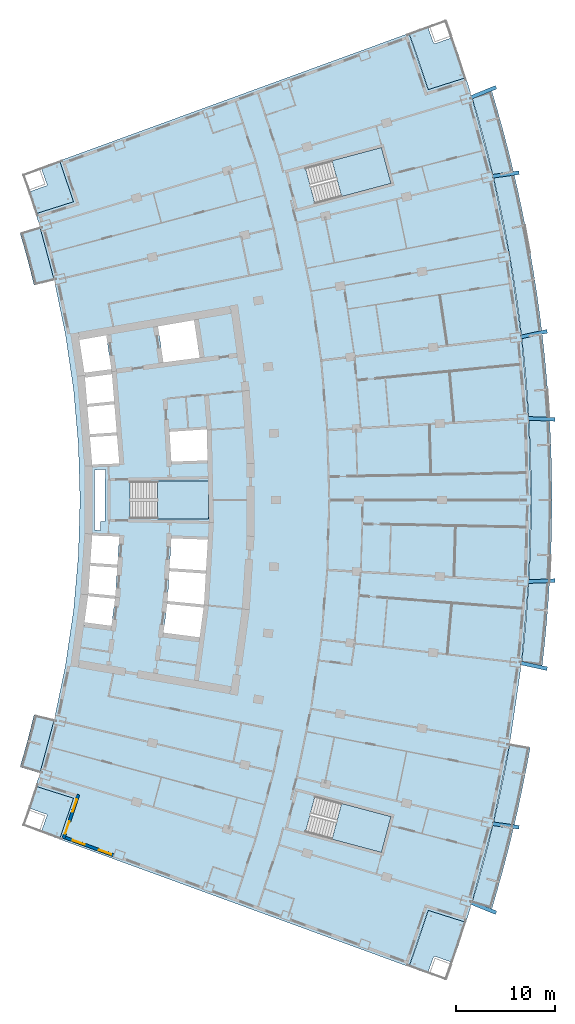
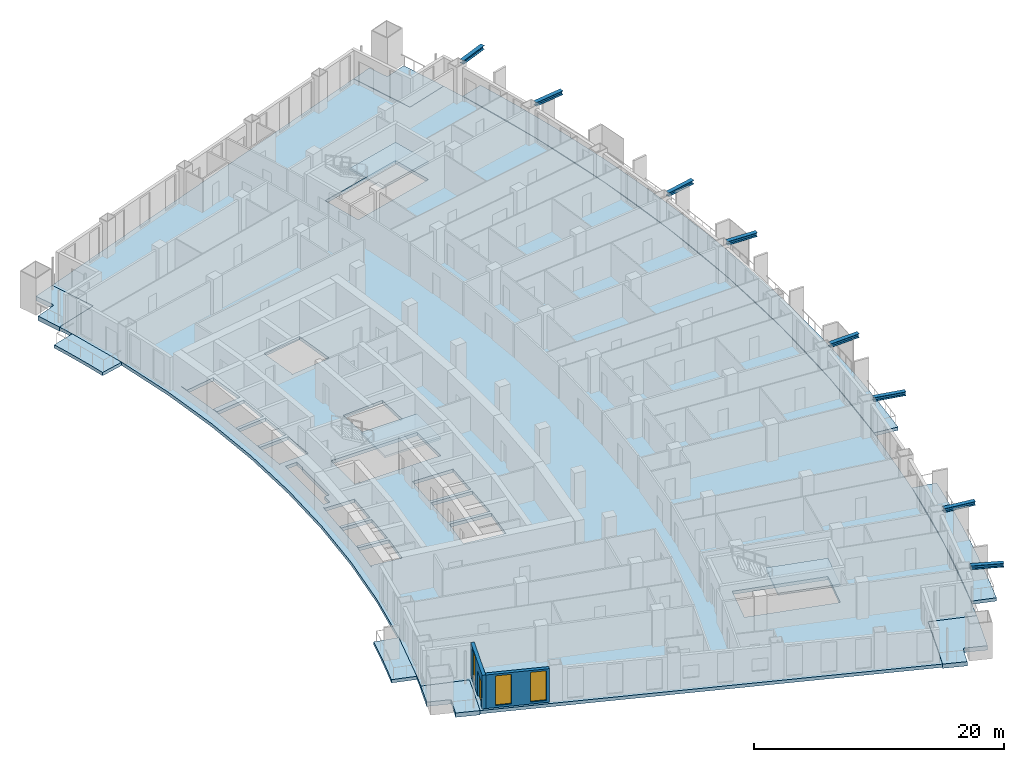
# One storey, part 12 of 25: 12 slabs, 8 members, 3 windows, 2 walls, 1 door, 4 openings, 3 elements without a shape of their own.
"""IFC4 building model written with IfcOpenShell, lengths in metres."""

from ifc_helpers import new_model, si_unit, direction, frame, frame_2d, origin, origin_2d, place, context, subcontext, project, spatial, polyline, rectangle, i_section, outline, extrude, material, layer, layer_set, material_profile, profile_set, type_object, element, fill, aggregate, save


model = new_model("IFC4")

# Units and contexts
model_context = context("Model", 3, precision=1e-05, world=origin(), true_north=direction((0.0, 1.0)))
body_context = subcontext(model_context, "Body", "Model", "MODEL_VIEW")
ifc_project = project(units=[si_unit("LENGTHUNIT", "METRE"), si_unit("AREAUNIT", "SQUARE_METRE"), si_unit("VOLUMEUNIT", "CUBIC_METRE"), si_unit("PLANEANGLEUNIT", "RADIAN"), si_unit("MASSUNIT", "GRAM", prefix="KILO")], contexts=[model_context])

# Site, building, storey
site_placement = place(None, origin())
site = spatial("IfcSite", under=ifc_project, at=site_placement, CompositionType="ELEMENT")
building_placement = place(site_placement, origin())
building = spatial("IfcBuilding", under=site, at=building_placement, Name="Alderwake Tower", CompositionType="ELEMENT")
storey_placement = place(building_placement, frame((0.0, 0.0, 107.60009765625)))
storey = spatial("IfcBuildingStorey", under=building, at=storey_placement, Name="L26", CompositionType="ELEMENT", Elevation=107.60009765625)

# Members
ifc_material_1 = material(Name="Steel ASTM A992 Grade 50", Category="steel")
ifc_material_profile = material_profile(ifc_material_1, i_section(OverallWidth=0.3740234375, OverallDepth=0.372314453125, WebThickness=0.016357421875, FlangeThickness=0.026123046875, at=origin_2d()), Name="W14X132")
ifc_profile_set = profile_set([ifc_material_profile], Name="Steel ASTM A992 Grade 50")
member_type = type_object("IfcMemberType", Name="Brace node stub W14X132", PredefinedType="MEMBER", material=ifc_profile_set)
for number, where, z_axis, x_axis, name in (
    (1, (55.546630859375, 20.30078125, 3.393798828125), (0.9255211749, -0.378695860567, 0.0), (0.378695860567, 0.9255211749, 0.0), "Brace node stub BS.FR02-C5.1112"),
    (2, (57.690673828125, 28.2802734375, 3.393798828125), (0.990678536497, -0.136220546632, 0.0), (0.136220546632, 0.990678536497, 0.0), "Brace node stub BS.FR03-C5.1112"),
):
    element("IfcMember", number, at=place(storey_placement, frame(where, z_axis=z_axis, x_axis=x_axis)), inside=storey, type_object=member_type, Name=name, PredefinedType="MEMBER", context=body_context, shape_type="SweptSolid", body=[
        extrude(i_section(OverallWidth=0.3740234375, OverallDepth=0.372314453125, WebThickness=0.016357421875, FlangeThickness=0.026123046875, at=origin_2d()), origin(), (0.0, 0.0, 1.0), 2.71533203125),
    ])
member_1_placement = place(storey_placement, frame((60.5625, 44.522216796875, 3.393798828125), z_axis=(0.977303597076, -0.211843525137, 0.0), x_axis=(0.211843525137, 0.977303597076, 0.0)))
element("IfcMember", 3, at=member_1_placement, inside=storey, type_object=member_type, Name="Brace node stub BS.FR05-C5.1112", PredefinedType="MEMBER", context=body_context, shape_type="SweptSolid", body=[
    extrude(i_section(OverallWidth=0.3740234375, OverallDepth=0.372314453125, WebThickness=0.016357421875, FlangeThickness=0.026123046875, at=origin_2d()), origin(), (0.0, 0.0, 1.0), 2.715087890625),
])
for number, where, z_axis, x_axis, name in (
    (4, (61.284423828125, 52.753173828125, 3.393798828125), (0.999262767455, 0.038391686315, 0.0), (-0.038391686315, 0.999262767455, 0.0), "Brace node stub BS.FR06-C5.1112"),
    (5, (61.284423828125, 69.246826171875, 3.393798828125), (0.999262767455, -0.038391686315, 0.0), (0.038391686315, 0.999262767455, 0.0), "Brace node stub BS.FR08-C5.1112"),
):
    element("IfcMember", number, at=place(storey_placement, frame(where, z_axis=z_axis, x_axis=x_axis)), inside=storey, type_object=member_type, Name=name, PredefinedType="MEMBER", context=body_context, shape_type="SweptSolid", body=[
        extrude(i_section(OverallWidth=0.3740234375, OverallDepth=0.372314453125, WebThickness=0.016357421875, FlangeThickness=0.026123046875, at=origin_2d()), origin(), (0.0, 0.0, 1.0), 2.71533203125),
    ])
member_2_placement = place(storey_placement, frame((60.5625, 77.477783203125, 3.393798828125), z_axis=(0.977303597076, 0.211843525137, 0.0), x_axis=(-0.211843525137, 0.977303597076, 0.0)))
element("IfcMember", 6, at=member_2_placement, inside=storey, type_object=member_type, Name="Brace node stub BS.FR09-C5.1112", PredefinedType="MEMBER", context=body_context, shape_type="SweptSolid", body=[
    extrude(i_section(OverallWidth=0.3740234375, OverallDepth=0.372314453125, WebThickness=0.016357421875, FlangeThickness=0.026123046875, at=origin_2d()), origin(), (0.0, 0.0, 1.0), 2.715087890625),
])
for number, where, z_axis, x_axis, name in (
    (7, (57.690673828125, 93.7197265625, 3.393798828125), (0.990678536497, 0.136220546632, 0.0), (-0.136220546632, 0.990678536497, 0.0), "Brace node stub BS.FR11-C5.1112"),
    (8, (55.546630859375, 101.69921875, 3.393798828125), (0.9255211749, 0.378695860567, 0.0), (-0.378695860567, 0.9255211749, 0.0), "Brace node stub BS.FR12-C5.1112"),
):
    element("IfcMember", number, at=place(storey_placement, frame(where, z_axis=z_axis, x_axis=x_axis)), inside=storey, type_object=member_type, Name=name, PredefinedType="MEMBER", context=body_context, shape_type="SweptSolid", body=[
        extrude(i_section(OverallWidth=0.3740234375, OverallDepth=0.372314453125, WebThickness=0.016357421875, FlangeThickness=0.026123046875, at=origin_2d()), origin(), (0.0, 0.0, 1.0), 2.71533203125),
    ])

# Slabs
ifc_material_2 = material(Name="Concrete C50/60", Category="concrete")
ifc_layer_1 = layer(ifc_material_2, 0.320068359375)
ifc_layer_set_1 = layer_set([ifc_layer_1], Name="Balcony slab 320")
slab_type_1 = type_object("IfcSlabType", Name="Balcony slab 320", PredefinedType="FLOOR", material=ifc_layer_set_1)
slab_1_placement = place(storey_placement, frame((0.0, 0.0, -0.320068359375)))
element("IfcSlab", 9, at=slab_1_placement, inside=storey, type_object=slab_type_1, Name="Balcony BF02", PredefinedType="FLOOR", context=body_context, shape_type="SweptSolid", body=[
    extrude(outline(polyline([(58.77734375, 23.71044921875), (59.306396484375, 25.73828125), (59.805908203125, 27.7734375), (60.275634765625, 29.815673828125), (60.71533203125, 31.86474609375), (61.125244140625, 33.919921875), (61.505126953125, 35.980712890625), (59.437255859375, 36.34619140625), (59.06298828125, 34.3154296875), (58.658935546875, 32.290283203125), (58.2255859375, 30.271484375), (57.7626953125, 28.259033203125), (57.270751953125, 26.25341796875), (56.74951171875, 24.25537109375), (56.198974609375, 22.26513671875), (55.61962890625, 20.283203125), (57.631103515625, 19.67919921875), (58.218994140625, 21.690673828125), (58.77734375, 23.71044921875)])), origin(), (0.0, 0.0, 1.0), 0.320068359375),
])
slab_2_placement = place(storey_placement, frame((0.0, 0.0, -0.320068359375)))
element("IfcSlab", 10, at=slab_2_placement, inside=storey, type_object=slab_type_1, Name="Balcony BF05", PredefinedType="FLOOR", context=body_context, shape_type="SweptSolid", body=[
    extrude(outline(polyline([(62.951904296875, 46.356201171875), (63.150146484375, 48.4423828125), (63.318115234375, 50.53125), (63.45556640625, 52.622314453125), (63.5625, 54.715087890625), (63.638916015625, 56.809326171875), (63.684814453125, 58.904296875), (63.699951171875, 61.0), (63.684814453125, 63.095703125), (63.638916015625, 65.190673828125), (63.5625, 67.284912109375), (63.45556640625, 69.377685546875), (63.318115234375, 71.46875), (63.150146484375, 73.5576171875), (62.951904296875, 75.643798828125), (62.72314453125, 77.72705078125), (62.464111328125, 79.806396484375), (62.174560546875, 81.882080078125), (61.85498046875, 83.953125), (61.505126953125, 86.019287109375), (61.125244140625, 88.080078125), (60.71533203125, 90.13525390625), (60.275634765625, 92.184326171875), (59.805908203125, 94.2265625), (59.306396484375, 96.26171875), (58.77734375, 98.28955078125), (58.218994140625, 100.309326171875), (57.631103515625, 102.32080078125), (55.61962890625, 101.716796875), (56.198974609375, 99.73486328125), (56.74951171875, 97.74462890625), (57.270751953125, 95.74658203125), (57.7626953125, 93.740966796875), (58.2255859375, 91.728515625), (58.658935546875, 89.709716796875), (59.06298828125, 87.6845703125), (59.437255859375, 85.65380859375), (59.781982421875, 83.61767578125), (60.096923828125, 81.576904296875), (60.382080078125, 79.53173828125), (60.637451171875, 77.482421875), (60.86279296875, 75.429931640625), (61.058349609375, 73.374267578125), (61.2236328125, 71.31591796875), (61.359130859375, 69.25537109375), (61.464599609375, 67.193115234375), (61.539794921875, 65.12939453125), (61.5849609375, 63.06494140625), (61.60009765625, 61.0), (61.5849609375, 58.93505859375), (61.539794921875, 56.87060546875), (61.464599609375, 54.806884765625), (61.359130859375, 52.74462890625), (61.2236328125, 50.68408203125), (61.058349609375, 48.625732421875), (60.86279296875, 46.570068359375), (60.637451171875, 44.517578125), (62.72314453125, 44.27294921875), (62.951904296875, 46.356201171875)])), origin(), (0.0, 0.0, 1.0), 0.320068359375),
])
slab_3_placement = place(storey_placement, frame((0.0, 0.0, -0.320068359375)))
element("IfcSlab", 11, at=slab_3_placement, inside=storey, type_object=slab_type_1, Name="Balcony BR02", PredefinedType="FLOOR", context=body_context, shape_type="SweptSolid", body=[
    extrude(outline(polyline([(9.93408203125, 33.999267578125), (11.945556640625, 33.395263671875), (13.3984375, 38.802734375), (11.35546875, 39.288330078125), (11.029052734375, 37.95849609375), (10.683349609375, 36.63330078125), (10.318359375, 35.3134765625), (9.93408203125, 33.999267578125)])), origin(), (0.0, 0.0, 1.0), 0.320068359375),
])
slab_4_placement = place(storey_placement, frame((0.0, 0.0, -0.320068359375)))
element("IfcSlab", 12, at=slab_4_placement, inside=storey, type_object=slab_type_1, Name="Balcony BR11", PredefinedType="FLOOR", context=body_context, shape_type="SweptSolid", body=[
    extrude(outline(polyline([(11.35546875, 82.711669921875), (13.3984375, 83.197265625), (11.945556640625, 88.604736328125), (9.93408203125, 88.000732421875), (10.318359375, 86.6865234375), (10.683349609375, 85.36669921875), (11.029052734375, 84.04150390625), (11.35546875, 82.711669921875)])), origin(), (0.0, 0.0, 1.0), 0.320068359375),
])
ifc_material_3 = material(Name="Concrete C50/60", Category="concrete")
ifc_layer_2 = layer(ifc_material_3, 0.320068359375)
ifc_layer_set_2 = layer_set([ifc_layer_2], Name="Concrete C50/60 post-tensioned flat plate 320")
slab_type_2 = type_object("IfcSlabType", Name="Concrete C50/60 post-tensioned flat plate 320", PredefinedType="FLOOR", material=ifc_layer_set_2)
slab_5_placement = place(storey_placement, frame((0.0, 0.0, -0.320068359375)))
element("IfcSlab", 13, at=slab_5_placement, inside=storey, type_object=slab_type_2, Name="Floor slab L26", PredefinedType="FLOOR", context=body_context, shape_type="SweptSolid", body=[
    extrude(outline(polyline([(11.533203125, 32.057373046875), (11.945556640625, 33.395263671875), (13.3984375, 38.802734375), (14.53369140625, 44.28564453125), (15.347412109375, 49.825439453125), (15.836669921875, 55.4033203125), (16.0, 61.0), (15.836669921875, 66.5966796875), (15.347412109375, 72.174560546875), (14.53369140625, 77.71435546875), (13.3984375, 83.197265625), (11.945556640625, 88.604736328125), (11.533203125, 89.942626953125), (15.34716796875, 91.1484375), (13.937255859375, 95.289794921875), (49.2578125, 108.1826171875), (51.197509765625, 102.484375), (55.011474609375, 103.690185546875), (55.61962890625, 101.716796875), (57.7626953125, 93.740966796875), (59.437255859375, 85.65380859375), (60.637451171875, 77.482421875), (61.359130859375, 69.25537109375), (61.60009765625, 61.0), (61.359130859375, 52.74462890625), (60.637451171875, 44.517578125), (59.437255859375, 36.34619140625), (57.7626953125, 28.259033203125), (55.61962890625, 20.283203125), (55.011474609375, 18.309814453125), (51.197509765625, 19.515625), (49.2578125, 13.8173828125), (13.937255859375, 26.710205078125), (15.34716796875, 30.8515625), (11.533203125, 32.057373046875)]), holes=[polyline([(16.84375, 51.279541015625), (16.8583984375, 51.4287109375), (16.873291015625, 51.577880859375), (19.574951171875, 51.31103515625), (19.76611328125, 54.161376953125), (17.0537109375, 54.34326171875), (17.06396484375, 54.492919921875), (17.073974609375, 54.642578125), (19.7861328125, 54.460693359375), (19.977294921875, 57.31103515625), (17.263916015625, 57.406982421875), (17.269287109375, 57.556884765625), (17.2392578125, 57.55810546875), (17.033935546875, 54.494873046875), (16.82861328125, 51.431640625), (16.82861328125, 51.431640625), (16.41015625, 48.39013671875), (16.43994140625, 48.38623046875), (16.472412109375, 48.63427734375), (19.18017578125, 48.280029296875), (19.545166015625, 51.012451171875), (16.84375, 51.279541015625)]), polyline([(29.0, 62.875), (21.050048828125, 62.875), (21.050048828125, 59.125), (29.0, 59.125), (29.0, 62.875)]), polyline([(19.738525390625, 67.5361328125), (17.02587890625, 67.354248046875), (17.015869140625, 67.50390625), (17.005859375, 67.653564453125), (19.7138671875, 67.835205078125), (19.47802734375, 70.679443359375), (16.777099609375, 70.41259765625), (16.76220703125, 70.561767578125), (16.74755859375, 70.7109375), (19.453125, 70.978515625), (19.2255859375, 73.725830078125), (16.541015625, 73.374755859375), (16.508544921875, 73.62255859375), (16.47607421875, 73.87060546875), (19.16796875, 74.22265625), (18.656982421875, 77.6376953125), (18.90283203125, 77.674560546875), (18.900146484375, 77.690673828125), (15.96826171875, 77.183837890625), (15.836669921875, 77.94482421875), (15.58544921875, 77.900390625), (15.586181640625, 77.896484375), (15.8154296875, 77.931884765625), (16.478515625, 73.61865234375), (16.47900390625, 73.61376953125), (16.732421875, 70.558837890625), (16.98583984375, 67.501953125), (17.239501953125, 64.4443359375), (17.239501953125, 64.44189453125), (17.269287109375, 64.443115234375), (17.263916015625, 64.593017578125), (19.974609375, 64.68896484375), (19.738525390625, 67.5361328125)]), polyline([(47.436279296875, 28.996826171875), (39.754150390625, 31.043212890625), (38.7890625, 27.41943359375), (46.47119140625, 25.373291015625), (47.436279296875, 28.996826171875)]), polyline([(24.82470703125, 50.49072265625), (24.8291015625, 50.534423828125), (24.825439453125, 50.534912109375), (24.43212890625, 47.59326171875), (28.095703125, 47.114013671875), (28.497802734375, 50.127685546875), (24.82470703125, 50.49072265625)]), polyline([(25.031005859375, 53.808349609375), (24.84521484375, 50.735595703125), (24.848876953125, 50.7353515625), (24.854248046875, 50.789306640625), (28.5341796875, 50.42578125), (28.719970703125, 53.56103515625), (25.031005859375, 53.808349609375)]), polyline([(28.92333984375, 56.994384765625), (25.2314453125, 57.125), (25.049072265625, 54.10791015625), (28.737548828125, 53.860595703125), (28.92333984375, 56.994384765625)]), polyline([(28.819091796875, 68.089599609375), (28.814697265625, 68.14453125), (25.05126953125, 67.892333984375), (25.232177734375, 64.875), (28.887451171875, 65.00439453125), (28.819091796875, 68.089599609375)]), polyline([(28.09619140625, 75.390380859375), (27.523193359375, 79.181396484375), (23.877685546875, 78.551025390625), (24.427001953125, 74.915283203125), (24.368896484375, 74.90673828125), (24.36962890625, 74.90283203125), (28.09619140625, 75.390380859375)]), polyline([(46.47119140625, 96.626708984375), (38.7890625, 94.58056640625), (39.754150390625, 90.956787109375), (47.436279296875, 93.003173828125), (46.47119140625, 96.626708984375)]), polyline([(17.489501953125, 64.050537109375), (17.4892578125, 57.949462890625), (18.065673828125, 57.928955078125), (18.090576171875, 58.84326171875), (18.544189453125, 58.8310546875), (18.529296875, 58.8681640625), (18.5234375, 58.89208984375), (18.5185546875, 58.94091796875), (18.5185546875, 63.060302734375), (18.5234375, 63.109130859375), (18.53759765625, 63.156005859375), (18.560791015625, 63.19921875), (18.588623046875, 63.233642578125), (18.565185546875, 64.088623046875), (17.489501953125, 64.050537109375)])]), origin(), (0.0, 0.0, 1.0), 0.320068359375),
])

# Stair, slab
ifc_material_4 = material(Name="Concrete C40/50", Category="concrete")
stair_type = type_object("IfcStairType", Name="Core exit stair", PredefinedType="HALF_TURN_STAIR", material=ifc_material_4)
stair_1_placement = place(storey_placement, origin())
stair_1 = element("IfcStair", 14, at=stair_1_placement, inside=storey, type_object=stair_type, Name="L26 Exit Stair B", PredefinedType="HALF_TURN_STAIR")
ifc_material_5 = material(Name="Concrete C40/50", Category="concrete")
ifc_layer_3 = layer(ifc_material_5, 0.199951171875)
ifc_layer_set_3 = layer_set([ifc_layer_3], Name="Core stair landing 200")
slab_type_3 = type_object("IfcSlabType", Name="Core stair landing 200", PredefinedType="LANDING", material=ifc_layer_set_3)
slab_6_placement = place(storey_placement, frame((0.0, 0.0, 1.599853515625)))
slab_6 = element("IfcSlab", 15, at=slab_6_placement, type_object=slab_type_3, Name="ST-B landing 1", PredefinedType="LANDING", context=body_context, shape_type="SweptSolid", body=[
    extrude(outline(polyline([(23.830078125, 59.074951171875), (29.0, 59.074951171875), (29.0, 62.925048828125), (23.830078125, 62.925048828125), (23.830078125, 59.074951171875)])), origin(), (0.0, 0.0, 1.0), 0.199951171875),
])
aggregate(stair_1, [slab_6])

stair_2_placement = place(storey_placement, origin())
stair_2 = element("IfcStair", 16, at=stair_2_placement, inside=storey, type_object=stair_type, Name="L26 Exit Stair A", PredefinedType="HALF_TURN_STAIR")
slab_7_placement = place(storey_placement, frame((0.0, 0.0, 1.599853515625)))
slab_7 = element("IfcSlab", 17, at=slab_7_placement, type_object=slab_type_3, Name="ST-A landing 1", PredefinedType="LANDING", context=body_context, shape_type="SweptSolid", body=[
    extrude(outline(polyline([(42.440673828125, 91.67236328125), (47.436279296875, 93.003173828125), (46.47119140625, 96.626708984375), (41.475341796875, 95.296142578125), (42.440673828125, 91.67236328125)])), origin(), (0.0, 0.0, 1.0), 0.199951171875),
])
aggregate(stair_2, [slab_7])

stair_3_placement = place(storey_placement, origin())
stair_3 = element("IfcStair", 18, at=stair_3_placement, inside=storey, type_object=stair_type, Name="L26 Exit Stair C", PredefinedType="HALF_TURN_STAIR")
slab_8_placement = place(storey_placement, frame((0.0, 0.0, 1.599853515625)))
slab_8 = element("IfcSlab", 19, at=slab_8_placement, type_object=slab_type_3, Name="ST-C landing 1", PredefinedType="LANDING", context=body_context, shape_type="SweptSolid", body=[
    extrude(outline(polyline([(41.475341796875, 26.703857421875), (46.47119140625, 25.373291015625), (47.436279296875, 28.996826171875), (42.4404296875, 30.32763671875), (41.475341796875, 26.703857421875)])), origin(), (0.0, 0.0, 1.0), 0.199951171875),
])
aggregate(stair_3, [slab_8])

# Slabs
ifc_material_6 = material(Name="Concrete C50/60", Category="concrete")
ifc_layer_4 = layer(ifc_material_6, 0.419921875)
ifc_layer_set_4 = layer_set([ifc_layer_4], Name="Terrace slab 420")
slab_type_4 = type_object("IfcSlabType", Name="Terrace slab 420", PredefinedType="FLOOR", material=ifc_layer_set_4)
slab_9_placement = place(storey_placement, frame((0.0, 0.0, -0.420166015625)))
element("IfcSlab", 20, at=slab_9_placement, inside=storey, type_object=slab_type_4, Name="Corner terrace FS", PredefinedType="FLOOR", context=body_context, shape_type="SweptSolid", body=[
    extrude(outline(polyline([(53.708984375, 14.390625), (53.65478515625, 14.23876953125), (51.91748046875, 14.860595703125), (51.9033203125, 14.86474609375), (51.888916015625, 14.86767578125), (51.874267578125, 14.869140625), (51.859619140625, 14.869140625), (51.844970703125, 14.86767578125), (51.830322265625, 14.86474609375), (51.81640625, 14.860595703125), (51.802734375, 14.85498046875), (51.789794921875, 14.847900390625), (51.777587890625, 14.839599609375), (51.76611328125, 14.830322265625), (51.755859375, 14.820068359375), (51.746337890625, 14.80859375), (51.73828125, 14.79638671875), (51.731201171875, 14.783447265625), (51.7255859375, 14.769775390625), (51.15283203125, 13.169189453125), (51.148681640625, 13.155029296875), (51.145751953125, 13.140625), (51.14453125, 13.12841796875), (49.2578125, 13.8173828125), (49.931884765625, 15.707275390625), (50.57861328125, 17.606689453125), (51.197509765625, 19.515625), (55.011474609375, 18.309814453125), (54.37451171875, 16.345458984375), (53.708984375, 14.390625)])), origin(), (0.0, 0.0, 1.0), 0.420166015625),
])
slab_10_placement = place(storey_placement, frame((0.0, 0.0, -0.420166015625)))
element("IfcSlab", 21, at=slab_10_placement, inside=storey, type_object=slab_type_4, Name="Corner terrace RS", PredefinedType="FLOOR", context=body_context, shape_type="SweptSolid", body=[
    extrude(outline(polyline([(13.937255859375, 26.710205078125), (12.04931640625, 27.3994140625), (12.0537109375, 27.40380859375), (12.06298828125, 27.4150390625), (12.071044921875, 27.427490234375), (12.077880859375, 27.4404296875), (12.08349609375, 27.4541015625), (12.651611328125, 29.056396484375), (12.65576171875, 29.0703125), (12.65869140625, 29.084716796875), (12.66015625, 29.099609375), (12.659912109375, 29.1142578125), (12.658447265625, 29.12890625), (12.655517578125, 29.143310546875), (12.6513671875, 29.157470703125), (12.6455078125, 29.1708984375), (12.638671875, 29.183837890625), (12.63037109375, 29.196044921875), (12.62109375, 29.20751953125), (12.610595703125, 29.218017578125), (12.59912109375, 29.227294921875), (12.5869140625, 29.2353515625), (12.573974609375, 29.2421875), (12.560302734375, 29.247802734375), (10.8095703125, 29.868408203125), (11.101318359375, 30.7255859375), (11.533203125, 32.057373046875), (15.34716796875, 30.8515625), (13.937255859375, 26.710205078125)])), origin(), (0.0, 0.0, 1.0), 0.420166015625),
])
slab_11_placement = place(storey_placement, frame((0.0, 0.0, -0.420166015625)))
element("IfcSlab", 22, at=slab_11_placement, inside=storey, type_object=slab_type_4, Name="Corner terrace FN", PredefinedType="FLOOR", context=body_context, shape_type="SweptSolid", body=[
    extrude(outline(polyline([(53.708984375, 107.609375), (54.37451171875, 105.654541015625), (55.011474609375, 103.690185546875), (51.197509765625, 102.484375), (50.57861328125, 104.393310546875), (49.931884765625, 106.292724609375), (49.2578125, 108.1826171875), (51.14453125, 108.87158203125), (51.145751953125, 108.859375), (51.148681640625, 108.844970703125), (51.15283203125, 108.830810546875), (51.7255859375, 107.230224609375), (51.731201171875, 107.216552734375), (51.73828125, 107.20361328125), (51.746337890625, 107.19140625), (51.755859375, 107.179931640625), (51.76611328125, 107.169677734375), (51.777587890625, 107.160400390625), (51.789794921875, 107.152099609375), (51.802734375, 107.14501953125), (51.81640625, 107.139404296875), (51.830322265625, 107.13525390625), (51.844970703125, 107.13232421875), (51.859619140625, 107.130859375), (51.874267578125, 107.130859375), (51.888916015625, 107.13232421875), (51.9033203125, 107.13525390625), (51.91748046875, 107.139404296875), (53.65478515625, 107.76123046875), (53.708984375, 107.609375)])), origin(), (0.0, 0.0, 1.0), 0.420166015625),
])
slab_12_placement = place(storey_placement, frame((0.0, 0.0, -0.420166015625)))
element("IfcSlab", 23, at=slab_12_placement, inside=storey, type_object=slab_type_4, Name="Corner terrace RN", PredefinedType="FLOOR", context=body_context, shape_type="SweptSolid", body=[
    extrude(outline(polyline([(10.8095703125, 92.131591796875), (12.560302734375, 92.752197265625), (12.573974609375, 92.7578125), (12.5869140625, 92.7646484375), (12.59912109375, 92.772705078125), (12.610595703125, 92.781982421875), (12.62109375, 92.79248046875), (12.63037109375, 92.803955078125), (12.638671875, 92.816162109375), (12.6455078125, 92.8291015625), (12.6513671875, 92.842529296875), (12.655517578125, 92.856689453125), (12.658447265625, 92.87109375), (12.659912109375, 92.8857421875), (12.66015625, 92.900390625), (12.65869140625, 92.915283203125), (12.65576171875, 92.9296875), (12.651611328125, 92.943603515625), (12.08349609375, 94.5458984375), (12.077880859375, 94.5595703125), (12.071044921875, 94.572509765625), (12.06298828125, 94.5849609375), (12.0537109375, 94.59619140625), (12.04931640625, 94.6005859375), (13.937255859375, 95.289794921875), (15.34716796875, 91.1484375), (11.533203125, 89.942626953125), (11.101318359375, 91.2744140625), (10.8095703125, 92.131591796875)])), origin(), (0.0, 0.0, 1.0), 0.420166015625),
])

# Wall, openings, door, window
ifc_material_7 = material(Name="Bronze metal cladding on lightweight framing")
ifc_layer_5 = layer(ifc_material_7, 0.300048828125)
ifc_layer_set_5 = layer_set([ifc_layer_5], Name="External wall EW2 bronze metal cladding")
wall_type = type_object("IfcWallType", Name="External wall EW2 bronze metal cladding", PredefinedType="SOLIDWALL", material=ifc_layer_set_5)
wall_1_placement = place(storey_placement, frame((15.83740234375, 31.220703125, 0.0), z_axis=(0.0, 0.0, 1.0), x_axis=(-0.32041006121, -0.947278941324, 0.0)))
wall_1 = element("IfcWall", 24, at=wall_1_placement, inside=storey, type_object=wall_type, Name="External wall 3", PredefinedType="SOLIDWALL", context=body_context, shape_type="SweptSolid", body=[
    extrude(rectangle(XDim=4.68994140625, YDim=0.300048828125, at=frame_2d((2.344970703125, 0.0))), origin(), (0.0, 0.0, 1.0), 3.27978515625),
])
opening_1_placement = place(wall_1_placement, frame((0.5224609375, 0.0, 0.199951171875)))
opening_1 = element("IfcOpeningElement", 25, at=opening_1_placement, cuts=wall_1, Name="Opening W1", PredefinedType="OPENING", context=body_context, shape_type="SweptSolid", body=[
    extrude(rectangle(XDim=1.300048828125, YDim=2.89990234375, at=frame_2d((0.64990234375, 1.449951171875))), frame((0.0, 0.159912109375, 0.0), z_axis=(0.0, -1.0, 0.0), x_axis=(1.0, 0.0, 0.0)), (0.0, 0.0, 1.0), 0.320068359375),
])
opening_2_placement = place(wall_1_placement, frame((2.867431640625, 0.0, 0.0)))
opening_2 = element("IfcOpeningElement", 26, at=opening_2_placement, cuts=wall_1, Name="Opening D01", PredefinedType="OPENING", context=body_context, shape_type="SweptSolid", body=[
    extrude(rectangle(XDim=1.300048828125, YDim=2.39990234375, at=frame_2d((0.64990234375, 1.199951171875))), frame((0.0, 0.159912109375, 0.0), z_axis=(0.0, -1.0, 0.0), x_axis=(1.0, 0.0, 0.0)), (0.0, 0.0, 1.0), 0.320068359375),
])
ifc_material_8 = material(Name="Bronze tinted glass in aluminium frame", Category="aluminium")
door_type = type_object("IfcDoorType", Name="Balcony door BD sliding", OperationType="SLIDING_TO_LEFT", PredefinedType="DOOR", material=ifc_material_8)
door_placement = place(opening_2_placement, origin())
door = element("IfcDoor", 27, at=door_placement, inside=storey, type_object=door_type, Name="Door D01", OperationType="SLIDING_TO_LEFT", OverallHeight=2.39990234375, OverallWidth=1.300048828125, PredefinedType="DOOR", context=body_context, shape_type="SweptSolid", body=[
    extrude(rectangle(XDim=1.300048828125, YDim=2.39990234375, at=frame_2d((0.64990234375, 1.199951171875))), frame((0.0, 0.02490234375, 0.0), z_axis=(0.0, -1.0, 0.0), x_axis=(1.0, 0.0, 0.0)), (0.0, 0.0, 1.0), 0.050048828125),
])
fill(opening_2, door)
ifc_material_9 = material(Name="Bronze tinted glass in aluminium frame", Category="aluminium")
window_type = type_object("IfcWindowType", Name="Window W1 tall fixed and vent", PartitioningType="DOUBLE_PANEL_VERTICAL", PredefinedType="WINDOW", material=ifc_material_9)
window_1_placement = place(opening_1_placement, origin())
window_1 = element("IfcWindow", 28, at=window_1_placement, inside=storey, type_object=window_type, Name="Window W1 tall fixed and vent", OverallHeight=2.89990234375, OverallWidth=1.300048828125, PartitioningType="DOUBLE_PANEL_VERTICAL", PredefinedType="WINDOW", context=body_context, shape_type="SweptSolid", body=[
    extrude(rectangle(XDim=1.300048828125, YDim=2.89990234375, at=frame_2d((0.64990234375, 1.449951171875))), frame((0.0, 0.030029296875, 0.0), z_axis=(0.0, -1.0, 0.0), x_axis=(1.0, 0.0, 0.0)), (0.0, 0.0, 1.0), 0.06005859375),
])
fill(opening_1, window_1)

# Wall, openings, windows
wall_2_placement = place(storey_placement, frame((14.523681640625, 26.86865234375, 0.0), z_axis=(0.0, 0.0, 1.0), x_axis=(0.939378067131, -0.342883138974, 0.0)))
wall_2 = element("IfcWall", 29, at=wall_2_placement, inside=storey, type_object=wall_type, Name="External wall 4", PredefinedType="SOLIDWALL", context=body_context, shape_type="SweptSolid", body=[
    extrude(rectangle(XDim=5.17431640625, YDim=0.300048828125, at=frame_2d((2.587158203125, 0.0))), origin(), (0.0, 0.0, 1.0), 3.27978515625),
])
opening_3_placement = place(wall_2_placement, frame((0.775390625, 0.0, 0.199951171875)))
opening_3 = element("IfcOpeningElement", 30, at=opening_3_placement, cuts=wall_2, Name="Opening W1", PredefinedType="OPENING", context=body_context, shape_type="SweptSolid", body=[
    extrude(rectangle(XDim=1.300048828125, YDim=2.89990234375, at=frame_2d((0.64990234375, 1.449951171875))), frame((0.0, 0.159912109375, 0.0), z_axis=(0.0, -1.0, 0.0), x_axis=(1.0, 0.0, 0.0)), (0.0, 0.0, 1.0), 0.320068359375),
])
opening_4_placement = place(wall_2_placement, frame((3.626220703125, 0.0, 0.199951171875)))
opening_4 = element("IfcOpeningElement", 31, at=opening_4_placement, cuts=wall_2, Name="Opening W1", PredefinedType="OPENING", context=body_context, shape_type="SweptSolid", body=[
    extrude(rectangle(XDim=1.300048828125, YDim=2.89990234375, at=frame_2d((0.64990234375, 1.449951171875))), frame((0.0, 0.159912109375, 0.0), z_axis=(0.0, -1.0, 0.0), x_axis=(1.0, 0.0, 0.0)), (0.0, 0.0, 1.0), 0.320068359375),
])
window_2_placement = place(opening_3_placement, origin())
window_2 = element("IfcWindow", 32, at=window_2_placement, inside=storey, type_object=window_type, Name="Window W1 tall fixed and vent", OverallHeight=2.89990234375, OverallWidth=1.300048828125, PartitioningType="DOUBLE_PANEL_VERTICAL", PredefinedType="WINDOW", context=body_context, shape_type="SweptSolid", body=[
    extrude(rectangle(XDim=1.300048828125, YDim=2.89990234375, at=frame_2d((0.64990234375, 1.449951171875))), frame((0.0, 0.030029296875, 0.0), z_axis=(0.0, -1.0, 0.0), x_axis=(1.0, 0.0, 0.0)), (0.0, 0.0, 1.0), 0.06005859375),
])
fill(opening_3, window_2)
window_3_placement = place(opening_4_placement, origin())
window_3 = element("IfcWindow", 33, at=window_3_placement, inside=storey, type_object=window_type, Name="Window W1 tall fixed and vent", OverallHeight=2.89990234375, OverallWidth=1.300048828125, PartitioningType="DOUBLE_PANEL_VERTICAL", PredefinedType="WINDOW", context=body_context, shape_type="SweptSolid", body=[
    extrude(rectangle(XDim=1.300048828125, YDim=2.89990234375, at=frame_2d((0.64990234375, 1.449951171875))), frame((0.0, 0.030029296875, 0.0), z_axis=(0.0, -1.0, 0.0), x_axis=(1.0, 0.0, 0.0)), (0.0, 0.0, 1.0), 0.06005859375),
])
fill(opening_4, window_3)

save(model, "model.ifc")
